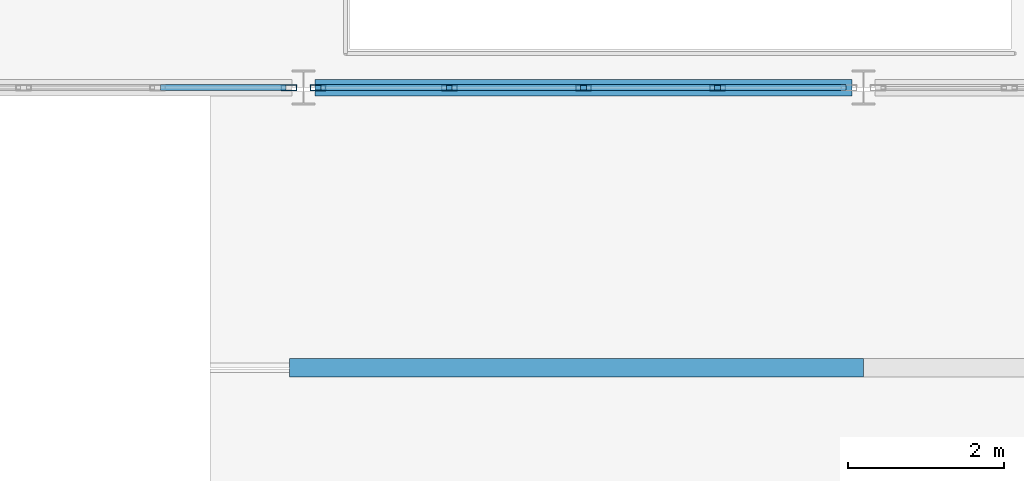
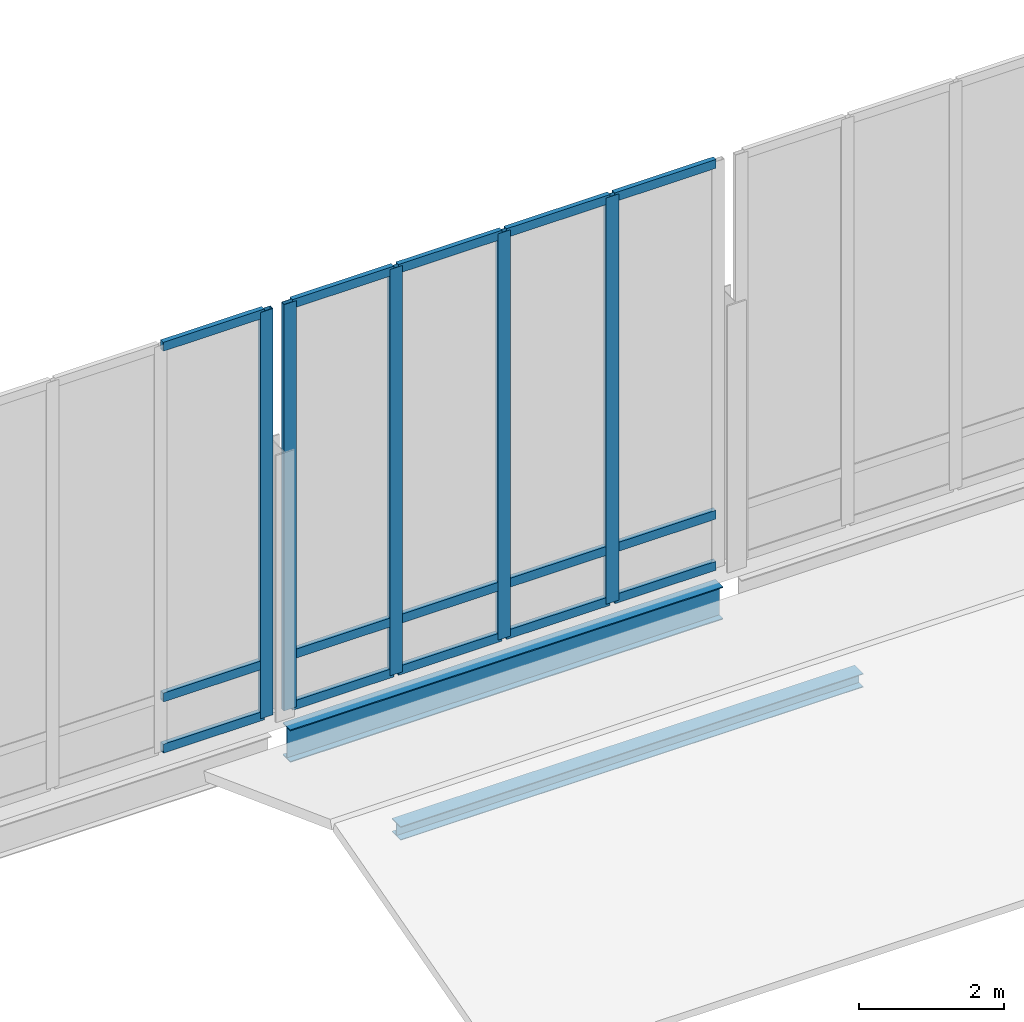
# One storey, part 21 of 110: 20 members, 2 beams, 2 elements without a shape of their own.
"""IFC4 building model written with IfcOpenShell, lengths in metres."""

from ifc_helpers import new_model, si_unit, direction, frame, origin, origin_2d, place, context, subcontext, project, spatial, hollow_rectangle, i_section, extrude, material, material_profile, profile_set, type_object, element, aggregate, save


model = new_model("IFC4")

# Units and contexts
model_context = context("Model", 3, precision=1e-05, world=origin(), true_north=direction((0.0, 1.0)))
body_context = subcontext(model_context, "Body", "Model", "MODEL_VIEW")
ifc_project = project(units=[si_unit("LENGTHUNIT", "METRE"), si_unit("AREAUNIT", "SQUARE_METRE"), si_unit("VOLUMEUNIT", "CUBIC_METRE"), si_unit("PLANEANGLEUNIT", "RADIAN"), si_unit("MASSUNIT", "GRAM", prefix="KILO")], contexts=[model_context])

# Site, building, storey
site_placement = place(None, origin())
site = spatial("IfcSite", under=ifc_project, at=site_placement, CompositionType="ELEMENT")
building_placement = place(site_placement, origin())
building = spatial("IfcBuilding", under=site, at=building_placement, Name="Suanplinth Sawtooth Commons", CompositionType="ELEMENT")
storey_placement = place(building_placement, frame((0.0, 0.0, 4.5)))
storey = spatial("IfcBuildingStorey", under=building, at=storey_placement, Name="L01", CompositionType="ELEMENT", Elevation=4.5)

# Beams
ifc_material_1 = material(Name="Steel S355JR", Category="steel")
ifc_material_profile_1 = material_profile(ifc_material_1, i_section(OverallWidth=0.2099609375, OverallDepth=0.550048828125, WebThickness=0.010986328125, FlangeThickness=0.01708984375, at=origin_2d()), Name="IPE 550")
ifc_profile_set_1 = profile_set([ifc_material_profile_1], Name="Steel S355JR")
beam_type_1 = type_object("IfcBeamType", Name="B-10", PredefinedType="USERDEFINED", material=ifc_profile_set_1)
beam_1_placement = place(storey_placement, frame((72.14990234375, 50.39990234375, -0.574951171875), z_axis=(1.0, 0.0, 0.0), x_axis=(0.0, 1.0, 0.0)))
element("IfcBeam", 1, at=beam_1_placement, inside=storey, type_object=beam_type_1, Name="BMX-L01-HALL-10-7", ObjectType="GIRDER", PredefinedType="USERDEFINED", context=body_context, shape_type="SweptSolid", body=[
    extrude(i_section(OverallWidth=0.2099609375, OverallDepth=0.550048828125, WebThickness=0.010986328125, FlangeThickness=0.01708984375, at=origin_2d()), origin(), (0.0, 0.0, 1.0), 6.900146484375),
])
ifc_material_profile_2 = material_profile(ifc_material_1, i_section(OverallWidth=0.239990234375, OverallDepth=0.22998046875, WebThickness=0.007568359375, FlangeThickness=0.011962890625, at=origin_2d()), Name="HEA 240")
ifc_profile_set_2 = profile_set([ifc_material_profile_2], Name="Steel S355JR")
beam_type_2 = type_object("IfcBeamType", Name="B-17", PredefinedType="BEAM", material=ifc_profile_set_2)
beam_2_placement = place(storey_placement, frame((71.820068359375, 46.800048828125, 0.260009765625), z_axis=(1.0, 0.0, 0.0), x_axis=(0.0, 1.0, 0.0)))
element("IfcBeam", 2, at=beam_2_placement, inside=storey, type_object=beam_type_2, Name="Metro Portal Ridge Beam 1", PredefinedType="BEAM", context=body_context, shape_type="SweptSolid", body=[
    extrude(i_section(OverallWidth=0.239990234375, OverallDepth=0.22998046875, WebThickness=0.007568359375, FlangeThickness=0.011962890625, at=origin_2d()), origin(), (0.0, 0.0, 1.0), 7.3798828125),
])

# Curtain wall, member
ifc_material_2 = material(Name="Anodized aluminium and low-E glazing", Category="aluminium")
curtain_wall_type = type_object("IfcCurtainWallType", Name="CW-01", PredefinedType="USERDEFINED", material=ifc_material_2)
curtain_wall_1_placement = place(storey_placement, origin())
curtain_wall_1 = element("IfcCurtainWall", 3, at=curtain_wall_1_placement, inside=storey, type_object=curtain_wall_type, Name="Curtain Wall CW-L01-HALL-S-0", ObjectType="CURTAIN WALL", PredefinedType="USERDEFINED")
ifc_material_3 = material(Name="Anodized aluminium 6063-T6", Category="aluminium")
ifc_material_profile_3 = material_profile(ifc_material_3, hollow_rectangle(XDim=0.074951171875, YDim=0.199951171875, WallThickness=0.0048828125, at=origin_2d()), Name="ALU-MUL 75x200")
ifc_profile_set_3 = profile_set([ifc_material_profile_3], Name="Anodized aluminium 6063-T6")
member_type_1 = type_object("IfcMemberType", Name="M-14", PredefinedType="MULLION", material=ifc_profile_set_3)
member_1_placement = place(storey_placement, frame((71.8125, 50.39990234375, 0.0), z_axis=(0.0, 0.0, 1.0), x_axis=(0.0, 1.0, 0.0)))
member_1 = element("IfcMember", 4, at=member_1_placement, type_object=member_type_1, Name="CW-01 mullion 5", PredefinedType="MULLION", context=body_context, shape_type="SweptSolid", body=[
    extrude(hollow_rectangle(XDim=0.074951171875, YDim=0.199951171875, WallThickness=0.0048828125, at=origin_2d()), origin(), (0.0, 0.0, 1.0), 6.85009765625),
])

# Curtain wall, members
curtain_wall_2_placement = place(storey_placement, origin())
curtain_wall_2 = element("IfcCurtainWall", 5, at=curtain_wall_2_placement, inside=storey, type_object=curtain_wall_type, Name="Curtain Wall CW-L01-HALL-S-1", ObjectType="CURTAIN WALL", PredefinedType="USERDEFINED")
member_2_placement = place(storey_placement, frame((72.1875, 50.39990234375, 0.0), z_axis=(0.0, 0.0, 1.0), x_axis=(0.0, 1.0, 0.0)))
member_2 = element("IfcMember", 6, at=member_2_placement, type_object=member_type_1, Name="CW-01 mullion 1", PredefinedType="MULLION", context=body_context, shape_type="SweptSolid", body=[
    extrude(hollow_rectangle(XDim=0.074951171875, YDim=0.199951171875, WallThickness=0.0048828125, at=origin_2d()), origin(), (0.0, 0.0, 1.0), 6.85009765625),
])
member_3_placement = place(storey_placement, frame((73.875, 50.39990234375, 0.0), z_axis=(0.0, 0.0, 1.0), x_axis=(0.0, 1.0, 0.0)))
member_3 = element("IfcMember", 7, at=member_3_placement, type_object=member_type_1, Name="CW-01 mullion 2", PredefinedType="MULLION", context=body_context, shape_type="SweptSolid", body=[
    extrude(hollow_rectangle(XDim=0.074951171875, YDim=0.199951171875, WallThickness=0.0048828125, at=origin_2d()), origin(), (0.0, 0.0, 1.0), 6.85009765625),
])
member_4_placement = place(storey_placement, frame((75.60009765625, 50.39990234375, 0.0), z_axis=(0.0, 0.0, 1.0), x_axis=(0.0, 1.0, 0.0)))
member_4 = element("IfcMember", 8, at=member_4_placement, type_object=member_type_1, Name="CW-01 mullion 3", PredefinedType="MULLION", context=body_context, shape_type="SweptSolid", body=[
    extrude(hollow_rectangle(XDim=0.074951171875, YDim=0.199951171875, WallThickness=0.0048828125, at=origin_2d()), origin(), (0.0, 0.0, 1.0), 6.85009765625),
])
member_5_placement = place(storey_placement, frame((77.324951171875, 50.39990234375, 0.0), z_axis=(0.0, 0.0, 1.0), x_axis=(0.0, 1.0, 0.0)))
member_5 = element("IfcMember", 9, at=member_5_placement, type_object=member_type_1, Name="CW-01 mullion 4", PredefinedType="MULLION", context=body_context, shape_type="SweptSolid", body=[
    extrude(hollow_rectangle(XDim=0.074951171875, YDim=0.199951171875, WallThickness=0.0048828125, at=origin_2d()), origin(), (0.0, 0.0, 1.0), 6.85009765625),
])

# Member
ifc_material_profile_4 = material_profile(ifc_material_3, hollow_rectangle(XDim=0.074951171875, YDim=0.14990234375, WallThickness=0.00439453125, at=origin_2d()), Name="ALU-TRN 75x150")
ifc_profile_set_4 = profile_set([ifc_material_profile_4], Name="Anodized aluminium 6063-T6")
member_type_2 = type_object("IfcMemberType", Name="M-16", PredefinedType="USERDEFINED", material=ifc_profile_set_4)
member_6_placement = place(storey_placement, frame((70.16259765625, 50.39990234375, 0.03759765625), z_axis=(1.0, 0.0, 0.0), x_axis=(0.0, 1.0, 0.0)))
member_6 = element("IfcMember", 10, at=member_6_placement, type_object=member_type_2, Name="CW-01 transom 4.1", ObjectType="TRANSOM", PredefinedType="USERDEFINED", context=body_context, shape_type="SweptSolid", body=[
    extrude(hollow_rectangle(XDim=0.074951171875, YDim=0.14990234375, WallThickness=0.00439453125, at=origin_2d()), origin(), (0.0, 0.0, 1.0), 1.6123046875),
])

member_7_placement = place(storey_placement, frame((70.16259765625, 50.39990234375, 0.89990234375), z_axis=(1.0, 0.0, 0.0), x_axis=(0.0, 1.0, 0.0)))
member_7 = element("IfcMember", 11, at=member_7_placement, type_object=member_type_2, Name="CW-01 transom 4.2", ObjectType="TRANSOM", PredefinedType="USERDEFINED", context=body_context, shape_type="SweptSolid", body=[
    extrude(hollow_rectangle(XDim=0.074951171875, YDim=0.14990234375, WallThickness=0.00439453125, at=origin_2d()), origin(), (0.0, 0.0, 1.0), 1.6123046875),
])

member_8_placement = place(storey_placement, frame((70.16259765625, 50.39990234375, 6.8125), z_axis=(1.0, 0.0, 0.0), x_axis=(0.0, 1.0, 0.0)))
member_8 = element("IfcMember", 12, at=member_8_placement, type_object=member_type_2, Name="CW-01 transom 4.3", ObjectType="TRANSOM", PredefinedType="USERDEFINED", context=body_context, shape_type="SweptSolid", body=[
    extrude(hollow_rectangle(XDim=0.074951171875, YDim=0.14990234375, WallThickness=0.00439453125, at=origin_2d()), origin(), (0.0, 0.0, 1.0), 1.6123046875),
])

aggregate(curtain_wall_1, [member_1, member_6, member_7, member_8])

member_9_placement = place(storey_placement, frame((72.22509765625, 50.39990234375, 0.03759765625), z_axis=(1.0, 0.0, 0.0), x_axis=(0.0, 1.0, 0.0)))
member_9 = element("IfcMember", 13, at=member_9_placement, type_object=member_type_2, Name="CW-01 transom 1.1", ObjectType="TRANSOM", PredefinedType="USERDEFINED", context=body_context, shape_type="SweptSolid", body=[
    extrude(hollow_rectangle(XDim=0.074951171875, YDim=0.14990234375, WallThickness=0.00439453125, at=origin_2d()), origin(), (0.0, 0.0, 1.0), 1.6123046875),
])

member_10_placement = place(storey_placement, frame((72.22509765625, 50.39990234375, 0.89990234375), z_axis=(1.0, 0.0, 0.0), x_axis=(0.0, 1.0, 0.0)))
member_10 = element("IfcMember", 14, at=member_10_placement, type_object=member_type_2, Name="CW-01 transom 1.2", ObjectType="TRANSOM", PredefinedType="USERDEFINED", context=body_context, shape_type="SweptSolid", body=[
    extrude(hollow_rectangle(XDim=0.074951171875, YDim=0.14990234375, WallThickness=0.00439453125, at=origin_2d()), origin(), (0.0, 0.0, 1.0), 1.6123046875),
])

member_11_placement = place(storey_placement, frame((72.22509765625, 50.39990234375, 6.8125), z_axis=(1.0, 0.0, 0.0), x_axis=(0.0, 1.0, 0.0)))
member_11 = element("IfcMember", 15, at=member_11_placement, type_object=member_type_2, Name="CW-01 transom 1.3", ObjectType="TRANSOM", PredefinedType="USERDEFINED", context=body_context, shape_type="SweptSolid", body=[
    extrude(hollow_rectangle(XDim=0.074951171875, YDim=0.14990234375, WallThickness=0.00439453125, at=origin_2d()), origin(), (0.0, 0.0, 1.0), 1.6123046875),
])

member_12_placement = place(storey_placement, frame((73.91259765625, 50.39990234375, 0.03759765625), z_axis=(1.0, 0.0, 0.0), x_axis=(0.0, 1.0, 0.0)))
member_12 = element("IfcMember", 16, at=member_12_placement, type_object=member_type_2, Name="CW-01 transom 2.1", ObjectType="TRANSOM", PredefinedType="USERDEFINED", context=body_context, shape_type="SweptSolid", body=[
    extrude(hollow_rectangle(XDim=0.074951171875, YDim=0.14990234375, WallThickness=0.00439453125, at=origin_2d()), origin(), (0.0, 0.0, 1.0), 1.64990234375),
])

member_13_placement = place(storey_placement, frame((73.91259765625, 50.39990234375, 0.89990234375), z_axis=(1.0, 0.0, 0.0), x_axis=(0.0, 1.0, 0.0)))
member_13 = element("IfcMember", 17, at=member_13_placement, type_object=member_type_2, Name="CW-01 transom 2.2", ObjectType="TRANSOM", PredefinedType="USERDEFINED", context=body_context, shape_type="SweptSolid", body=[
    extrude(hollow_rectangle(XDim=0.074951171875, YDim=0.14990234375, WallThickness=0.00439453125, at=origin_2d()), origin(), (0.0, 0.0, 1.0), 1.64990234375),
])

member_14_placement = place(storey_placement, frame((73.91259765625, 50.39990234375, 6.8125), z_axis=(1.0, 0.0, 0.0), x_axis=(0.0, 1.0, 0.0)))
member_14 = element("IfcMember", 18, at=member_14_placement, type_object=member_type_2, Name="CW-01 transom 2.3", ObjectType="TRANSOM", PredefinedType="USERDEFINED", context=body_context, shape_type="SweptSolid", body=[
    extrude(hollow_rectangle(XDim=0.074951171875, YDim=0.14990234375, WallThickness=0.00439453125, at=origin_2d()), origin(), (0.0, 0.0, 1.0), 1.64990234375),
])

member_15_placement = place(storey_placement, frame((75.637451171875, 50.39990234375, 0.03759765625), z_axis=(1.0, 0.0, 0.0), x_axis=(0.0, 1.0, 0.0)))
member_15 = element("IfcMember", 19, at=member_15_placement, type_object=member_type_2, Name="CW-01 transom 3.1", ObjectType="TRANSOM", PredefinedType="USERDEFINED", context=body_context, shape_type="SweptSolid", body=[
    extrude(hollow_rectangle(XDim=0.074951171875, YDim=0.14990234375, WallThickness=0.00439453125, at=origin_2d()), origin(), (0.0, 0.0, 1.0), 1.650146484375),
])

member_16_placement = place(storey_placement, frame((75.637451171875, 50.39990234375, 0.89990234375), z_axis=(1.0, 0.0, 0.0), x_axis=(0.0, 1.0, 0.0)))
member_16 = element("IfcMember", 20, at=member_16_placement, type_object=member_type_2, Name="CW-01 transom 3.2", ObjectType="TRANSOM", PredefinedType="USERDEFINED", context=body_context, shape_type="SweptSolid", body=[
    extrude(hollow_rectangle(XDim=0.074951171875, YDim=0.14990234375, WallThickness=0.00439453125, at=origin_2d()), origin(), (0.0, 0.0, 1.0), 1.650146484375),
])

member_17_placement = place(storey_placement, frame((75.637451171875, 50.39990234375, 6.8125), z_axis=(1.0, 0.0, 0.0), x_axis=(0.0, 1.0, 0.0)))
member_17 = element("IfcMember", 21, at=member_17_placement, type_object=member_type_2, Name="CW-01 transom 3.3", ObjectType="TRANSOM", PredefinedType="USERDEFINED", context=body_context, shape_type="SweptSolid", body=[
    extrude(hollow_rectangle(XDim=0.074951171875, YDim=0.14990234375, WallThickness=0.00439453125, at=origin_2d()), origin(), (0.0, 0.0, 1.0), 1.650146484375),
])

member_18_placement = place(storey_placement, frame((77.362548828125, 50.39990234375, 0.03759765625), z_axis=(1.0, 0.0, 0.0), x_axis=(0.0, 1.0, 0.0)))
member_18 = element("IfcMember", 22, at=member_18_placement, type_object=member_type_2, Name="CW-01 transom 4.1", ObjectType="TRANSOM", PredefinedType="USERDEFINED", context=body_context, shape_type="SweptSolid", body=[
    extrude(hollow_rectangle(XDim=0.074951171875, YDim=0.14990234375, WallThickness=0.00439453125, at=origin_2d()), origin(), (0.0, 0.0, 1.0), 1.612548828125),
])

member_19_placement = place(storey_placement, frame((77.362548828125, 50.39990234375, 0.89990234375), z_axis=(1.0, 0.0, 0.0), x_axis=(0.0, 1.0, 0.0)))
member_19 = element("IfcMember", 23, at=member_19_placement, type_object=member_type_2, Name="CW-01 transom 4.2", ObjectType="TRANSOM", PredefinedType="USERDEFINED", context=body_context, shape_type="SweptSolid", body=[
    extrude(hollow_rectangle(XDim=0.074951171875, YDim=0.14990234375, WallThickness=0.00439453125, at=origin_2d()), origin(), (0.0, 0.0, 1.0), 1.612548828125),
])

member_20_placement = place(storey_placement, frame((77.362548828125, 50.39990234375, 6.8125), z_axis=(1.0, 0.0, 0.0), x_axis=(0.0, 1.0, 0.0)))
member_20 = element("IfcMember", 24, at=member_20_placement, type_object=member_type_2, Name="CW-01 transom 4.3", ObjectType="TRANSOM", PredefinedType="USERDEFINED", context=body_context, shape_type="SweptSolid", body=[
    extrude(hollow_rectangle(XDim=0.074951171875, YDim=0.14990234375, WallThickness=0.00439453125, at=origin_2d()), origin(), (0.0, 0.0, 1.0), 1.612548828125),
])

aggregate(curtain_wall_2, [member_2, member_3, member_4, member_5, member_9, member_10, member_11, member_12, member_13, member_14, member_15, member_16, member_17, member_18, member_19, member_20])

save(model, "model.ifc")
